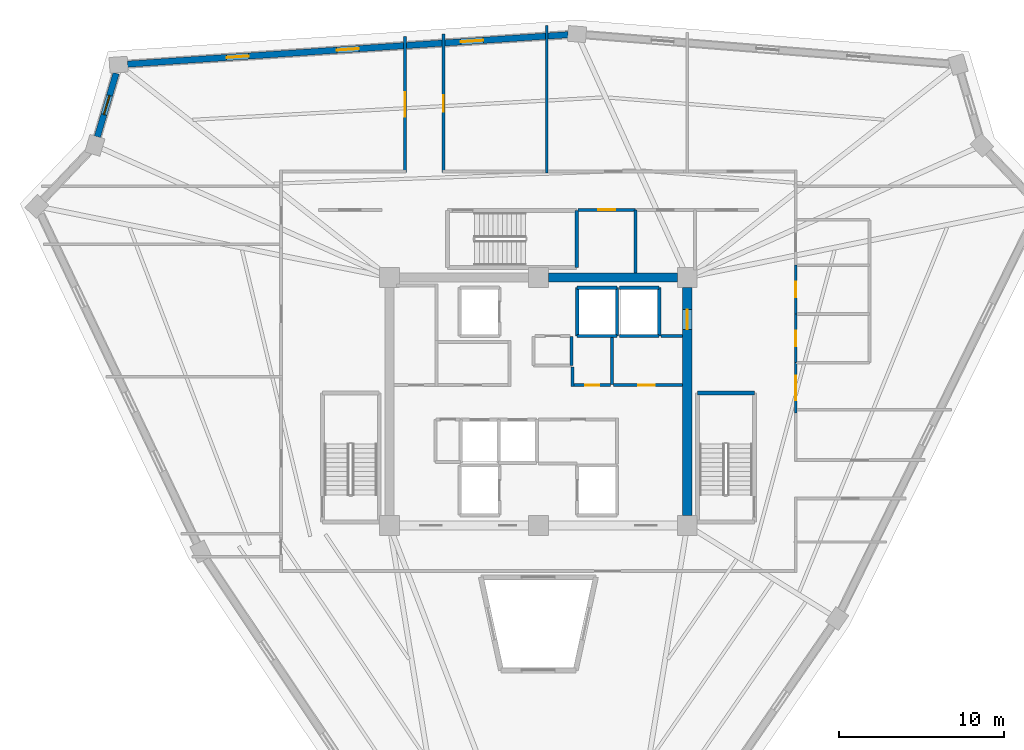
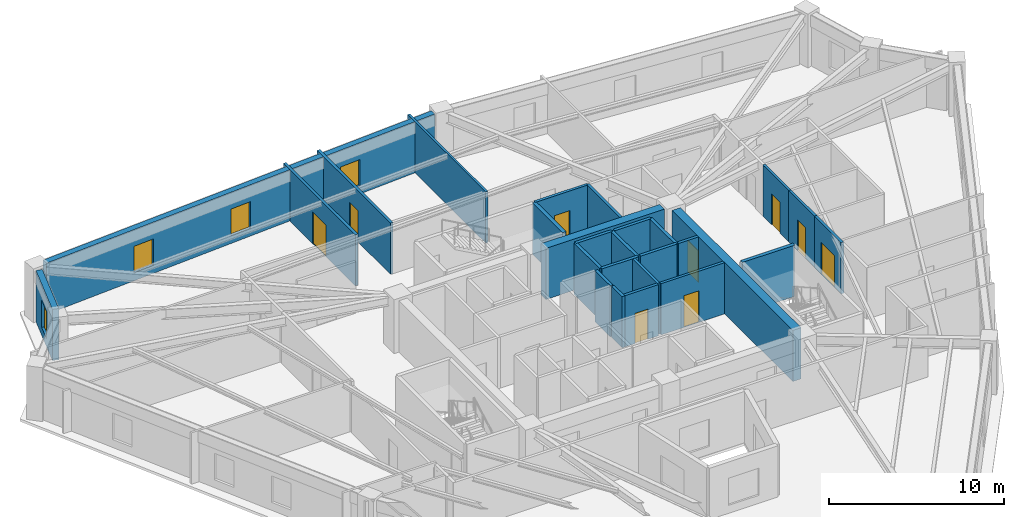
# One storey, part 6 of 8: 27 walls, 9 doors, 4 windows, 13 openings.
"""IFC4 building model written with IfcOpenShell, lengths in metres."""

import ifcopenshell
import ifcopenshell.guid

model = None  # the IFC model being written
_history = None  # IfcOwnerHistory: only IFC2X3 demands one
_inside = {}  # id of a spatial element -> (the spatial element, [elements in it])
_under = {}  # id of a project, library or spatial element -> (it, [spatial elements below it])
_declared = {}  # id of a project -> (the project, [libraries it declares])
_typed = {}  # id of a type object -> (the type object, [elements of that type])
_made_of = {}  # id of a material, layer set ... -> (it, [elements and type objects made of it])


def new_model(schema):
    """Start an empty IFC model of exactly this schema.

    Asked for "IFC4X3", IfcOpenShell would pick the latest addendum, in which some entities
    have other attributes; the version numbers below select the first issue.
    IFC2X3 requires an IfcOwnerHistory on every rooted entity: one is made here for all.
    """
    global model, _history
    if schema == "IFC4X3":
        model = ifcopenshell.file(schema_version=(4, 3, 0, 0))
    else:
        model = ifcopenshell.file(schema=schema)
    _inside.clear()
    _under.clear()
    _declared.clear()
    _typed.clear()
    _made_of.clear()
    _history = None
    if model.schema == "IFC2X3":
        org = make("IfcOrganization", Name="unknown")
        user = make(
            "IfcPersonAndOrganization",
            ThePerson=make("IfcPerson", FamilyName="unknown"),
            TheOrganization=org,
        )
        app = make(
            "IfcApplication",
            ApplicationDeveloper=org,
            Version="unknown",
            ApplicationFullName="unknown",
            ApplicationIdentifier="unknown",
        )
        _history = make(
            "IfcOwnerHistory",
            OwningUser=user,
            OwningApplication=app,
            ChangeAction="ADDED",
            CreationDate=0,
        )
    return model


def make(cls, **values):
    """One entity of the class cls with the attributes given. An attribute that is None is left unset."""
    return model.create_entity(
        cls, **{name: value for name, value in values.items() if value is not None}
    )


def rooted(cls, **values):
    """An entity with a GlobalId (a new one), such as an element, a storey or a relation."""
    return make(cls, GlobalId=ifcopenshell.guid.new(), OwnerHistory=_history, **values)


def si_unit(unit_type, name, prefix=None):
    """IfcSIUnit, for example si_unit("LENGTHUNIT", "METRE", prefix="MILLI")."""
    return make("IfcSIUnit", UnitType=unit_type, Prefix=prefix, Name=name)


def assignment(units):
    """IfcUnitAssignment: the units of a project."""
    return None if units is None else make("IfcUnitAssignment", Units=units)


def point(xyz):
    """IfcCartesianPoint."""
    return None if xyz is None else make("IfcCartesianPoint", Coordinates=xyz)


def direction(xyz):
    """IfcDirection."""
    return None if xyz is None else make("IfcDirection", DirectionRatios=xyz)


def frame(location, z_axis=None, x_axis=None):
    """IfcAxis2Placement3D, a coordinate frame: its origin and axes. An axis left out is left unset."""
    return make(
        "IfcAxis2Placement3D",
        Location=point(location),
        Axis=direction(z_axis),
        RefDirection=direction(x_axis),
    )


def frame_2d(location, x_axis=None):
    """IfcAxis2Placement2D, a coordinate frame in the plane: its origin and x axis."""
    return make(
        "IfcAxis2Placement2D", Location=point(location), RefDirection=direction(x_axis)
    )


def origin():
    """The frame at (0, 0, 0) with its axes left unset."""
    return frame((0.0, 0.0, 0.0))


def place(relative_to, where):
    """IfcLocalPlacement: puts the frame where relative to a parent placement (None: the world)."""
    return make(
        "IfcLocalPlacement", PlacementRelTo=relative_to, RelativePlacement=where
    )


def context(
    kind, dimensions, precision=None, world=None, true_north=None, identifier=None
):
    """IfcGeometricRepresentationContext, for example the 3D "Model" context."""
    return make(
        "IfcGeometricRepresentationContext",
        ContextIdentifier=identifier,
        ContextType=kind,
        CoordinateSpaceDimension=dimensions,
        Precision=precision,
        WorldCoordinateSystem=world,
        TrueNorth=true_north,
    )


def subcontext(parent, identifier, kind, view, scale=None):
    """IfcGeometricRepresentationSubContext, for example "Body" below "Model"."""
    return make(
        "IfcGeometricRepresentationSubContext",
        ContextIdentifier=identifier,
        ContextType=kind,
        ParentContext=parent,
        TargetScale=scale,
        TargetView=view,
    )


def project(units=None, contexts=None):
    """IfcProject with its units and contexts."""
    return rooted(
        "IfcProject",
        Name="project",
        RepresentationContexts=contexts,
        UnitsInContext=assignment(units),
    )


def spatial(cls, under=None, at=None, **own):
    """A site, building, storey or space (cls), placed at a placement, below another one or the project."""
    s = rooted(cls, ObjectPlacement=at, **own)
    if under is not None:
        _under.setdefault(under.id(), (under, []))[1].append(s)
    return s


def profile(cls, at=None, kind="AREA", **sizes):
    """A parametric profile (cls). Its sizes go by their IFC names, for example OverallWidth=200.0."""
    return make(cls, ProfileType=kind, Position=at, **sizes)


def rectangle(**sizes):
    """IfcRectangleProfileDef."""
    return profile("IfcRectangleProfileDef", **sizes)


def extrude(swept, where, along, depth):
    """IfcExtrudedAreaSolid: the profile swept, set in the frame where, extruded along a direction by depth."""
    return make(
        "IfcExtrudedAreaSolid",
        SweptArea=swept,
        Position=where,
        ExtrudedDirection=direction(along),
        Depth=depth,
    )


def shape(context_of_items, identifier, shape_type, items):
    """IfcShapeRepresentation: the items that make up one representation, for example the "Body"."""
    return make(
        "IfcShapeRepresentation",
        ContextOfItems=context_of_items,
        RepresentationIdentifier=identifier,
        RepresentationType=shape_type,
        Items=items,
    )


def source(mapping_origin, context_of_items, identifier, shape_type, items):
    """IfcRepresentationMap: a shape defined once, which mapped items show again and again."""
    return make(
        "IfcRepresentationMap",
        MappingOrigin=mapping_origin,
        MappedRepresentation=shape(context_of_items, identifier, shape_type, items),
    )


def transform(
    local_origin,
    x_axis=None,
    y_axis=None,
    z_axis=None,
    scale=None,
    scale2=None,
    scale3=None,
    uniform=True,
):
    """IfcCartesianTransformationOperator3D, or its non-uniform kind. x_axis, y_axis, z_axis: its Axis1, 2, 3."""
    if uniform:
        return make(
            "IfcCartesianTransformationOperator3D",
            Axis1=direction(x_axis),
            Axis2=direction(y_axis),
            LocalOrigin=point(local_origin),
            Scale=scale,
            Axis3=direction(z_axis),
        )
    return make(
        "IfcCartesianTransformationOperator3DnonUniform",
        Axis1=direction(x_axis),
        Axis2=direction(y_axis),
        LocalOrigin=point(local_origin),
        Scale=scale,
        Axis3=direction(z_axis),
        Scale2=scale2,
        Scale3=scale3,
    )


def mapped(mapping_source, mapping_target):
    """IfcMappedItem: shows the shape of a source again, moved by a transform."""
    return make(
        "IfcMappedItem", MappingSource=mapping_source, MappingTarget=mapping_target
    )


def material(Name=None, Category=None):
    """IfcMaterial."""
    return make("IfcMaterial", Name=Name, Category=Category)


def layer(
    of_material, thickness, ventilated=None, Name=None, Category=None, Priority=None
):
    """IfcMaterialLayer: one layer of a wall or slab, of a material (None: an air gap)."""
    return make(
        "IfcMaterialLayer",
        Material=of_material,
        LayerThickness=thickness,
        IsVentilated=ventilated,
        Name=Name,
        Category=Category,
        Priority=Priority,
    )


def layer_set(layers, Name=None):
    """IfcMaterialLayerSet."""
    return make("IfcMaterialLayerSet", MaterialLayers=layers, LayerSetName=Name)


def made_of(thing, what):
    """Note that an element or type object is made of a material, layer set ...; save() writes the relation."""
    if what is not None:
        _made_of.setdefault(what.id(), (what, []))[1].append(thing)
    return thing


def type_object(cls, material=None, **own):
    """A type object (cls), such as IfcWallType, which elements share."""
    return made_of(rooted(cls, **own), material)


def element(
    cls,
    number,
    at=None,
    inside=None,
    cuts=None,
    type_object=None,
    material=None,
    context=None,
    identifier="Body",
    shape_type=None,
    held_by="IfcProductDefinitionShape",
    body=None,
    shapes=None,
    **own,
):
    """One element of the class cls, such as IfcWall. Its Tag is "e" and its number.

    at: its placement. inside: the storey or other place that contains it. cuts: it is an
    opening in that element (IfcRelVoidsElement). A single representation is given by context,
    identifier, shape_type and body (its items); several are given by shapes. held_by: the class
    of the entity that holds the representations. save() writes the other relations.
    """
    e = rooted(cls, Tag="e%d" % number, ObjectPlacement=at, **own)
    if body is not None:
        shapes = [shape(context, identifier, shape_type, body)]
    if shapes is not None:
        e.Representation = make(held_by, Representations=shapes)
    if inside is not None:
        _inside.setdefault(inside.id(), (inside, []))[1].append(e)
    if cuts is not None:
        rooted(
            "IfcRelVoidsElement", RelatingBuildingElement=cuts, RelatedOpeningElement=e
        )
    if type_object is not None:
        _typed.setdefault(type_object.id(), (type_object, []))[1].append(e)
    return made_of(e, material)


def fill(opening, filler):
    """IfcRelFillsElement: the door or window that sits in an opening."""
    return rooted(
        "IfcRelFillsElement",
        RelatingOpeningElement=opening,
        RelatedBuildingElement=filler,
    )


def aggregate(whole, parts):
    """IfcRelAggregates: a whole, such as a stair, and the parts it consists of."""
    return rooted("IfcRelAggregates", RelatingObject=whole, RelatedObjects=parts)


def save(model, path):
    """Write the relations noted so far, then the file.

    IfcRelAggregates (storeys below a building ...), IfcRelContainedInSpatialStructure (elements
    in a storey), IfcRelDefinesByType, IfcRelAssociatesMaterial and IfcRelDeclares: one each for
    every whole, place, type object, material and project.
    """
    for whole, parts in _under.values():
        aggregate(whole, parts)
    for where, things in _inside.values():
        rooted(
            "IfcRelContainedInSpatialStructure",
            RelatedElements=things,
            RelatingStructure=where,
        )
    for kind, things in _typed.values():
        rooted("IfcRelDefinesByType", RelatedObjects=things, RelatingType=kind)
    for what, things in _made_of.values():
        rooted("IfcRelAssociatesMaterial", RelatedObjects=things, RelatingMaterial=what)
    for by, libraries in _declared.values():
        rooted("IfcRelDeclares", RelatingContext=by, RelatedDefinitions=libraries)
    model.write(path)


model = new_model("IFC4")

# Units and contexts
model_context = context("Model", 3, precision=1e-05, world=origin(), true_north=direction((0.0, 1.0)))
body_context = subcontext(model_context, "Body", "Model", "MODEL_VIEW")
ifc_project = project(units=[si_unit("LENGTHUNIT", "METRE"), si_unit("AREAUNIT", "SQUARE_METRE"), si_unit("VOLUMEUNIT", "CUBIC_METRE"), si_unit("PLANEANGLEUNIT", "RADIAN"), si_unit("MASSUNIT", "GRAM", prefix="KILO")], contexts=[model_context])

# Site, building, storey
site_placement = place(None, origin())
site = spatial("IfcSite", under=ifc_project, at=site_placement, CompositionType="ELEMENT")
building_placement = place(site_placement, origin())
building = spatial("IfcBuilding", under=site, at=building_placement, Name="Liaohun Quay Tower", CompositionType="ELEMENT")
storey_placement = place(building_placement, frame((0.0, 0.0, 297.75)))
storey = spatial("IfcBuildingStorey", under=building, at=storey_placement, Name="L77", CompositionType="ELEMENT", Elevation=297.75)

# Wall
ifc_material_1 = material(Name="Concrete C50", Category="concrete")
ifc_layer_1 = layer(ifc_material_1, 0.550048828125, Name="Concrete C50", Category="concrete")
ifc_layer_set_1 = layer_set([ifc_layer_1], Name="Concrete C50")
wall_type_1 = type_object("IfcWallType", Name="WAL-COR-Z4", PredefinedType="SHEAR", material=ifc_layer_set_1)
wall_1_placement = place(storey_placement, frame((60.60009765625, 61.5, 0.0), z_axis=(0.0, 0.0, 1.0), x_axis=(1.0, 0.0, 0.0)))
element("IfcWall", 1, at=wall_1_placement, inside=storey, type_object=wall_type_1, Name="L77 Central Core Shear Wall N-E", PredefinedType="SHEAR", context=body_context, shape_type="SweptSolid", body=[
    extrude(rectangle(XDim=7.7998046875, YDim=0.550048828125, at=frame_2d((3.89990234375, 0.0))), origin(), (0.0, 0.0, 1.0), 3.570068359375),
])

# Wall, opening, door
wall_2_placement = place(storey_placement, frame((69.0, 60.89990234375, 0.0), z_axis=(0.0, 0.0, 1.0), x_axis=(0.0, -1.0, 0.0)))
wall_2 = element("IfcWall", 2, at=wall_2_placement, inside=storey, type_object=wall_type_1, Name="L77 Central Core Shear Wall E", PredefinedType="SHEAR", context=body_context, shape_type="SweptSolid", body=[
    extrude(rectangle(XDim=13.7998046875, YDim=0.550048828125, at=frame_2d((6.89990234375, 0.0))), origin(), (0.0, 0.0, 1.0), 3.570068359375),
])
shared_shape_1 = source(origin(), body_context, "Body", "SweptSolid", [
    extrude(rectangle(XDim=1.199951171875, YDim=2.199951171875, at=frame_2d((0.60009765625, 1.10009765625))), frame((0.0, 0.284912109375, 0.0), z_axis=(0.0, -1.0, 0.0), x_axis=(1.0, 0.0, 0.0)), (0.0, 0.0, 1.0), 0.570068359375),
])
opening_1_placement = place(wall_2_placement, frame((1.35009765625, 0.0, 0.0)))
opening_1 = element("IfcOpeningElement", 3, at=opening_1_placement, cuts=wall_2, Name="Opening SD1", PredefinedType="OPENING", context=body_context, shape_type="MappedRepresentation", body=[
    mapped(shared_shape_1, transform((0.0, 0.0, 0.0), x_axis=(1.0, 0.0, 0.0), y_axis=(0.0, 1.0, 0.0), z_axis=(0.0, 0.0, 1.0), scale=1.0)),
])
ifc_material_2 = material(Name="Galvanised steel fire door", Category="steel")
door_type_1 = type_object("IfcDoorType", Name="DOR-STR-1200", OperationType="NOTDEFINED", PredefinedType="DOOR", material=ifc_material_2)
shared_shape_2 = source(origin(), body_context, "Body", "SweptSolid", [
    extrude(rectangle(XDim=1.199951171875, YDim=2.199951171875, at=frame_2d((0.60009765625, 1.10009765625))), frame((0.0, 0.02490234375, 0.0), z_axis=(0.0, -1.0, 0.0), x_axis=(1.0, 0.0, 0.0)), (0.0, 0.0, 1.0), 0.050048828125),
])
door_1_placement = place(opening_1_placement, origin())
door_1 = element("IfcDoor", 4, at=door_1_placement, inside=storey, type_object=door_type_1, Name="L77 North-East Core Lobby Smokeproof Door", OperationType="SINGLE_SWING_LEFT", OverallHeight=2.199951171875, OverallWidth=1.199951171875, PredefinedType="DOOR", context=body_context, shape_type="MappedRepresentation", body=[
    mapped(shared_shape_2, transform((0.0, 0.0, 0.0), x_axis=(1.0, 0.0, 0.0), y_axis=(0.0, 1.0, 0.0), z_axis=(0.0, 0.0, 1.0), scale=1.0)),
])
fill(opening_1, door_1)

# Wall, openings, windows
ifc_material_3 = material(Name="Precast concrete C50 insulated sandwich", Category="concrete")
ifc_layer_2 = layer(ifc_material_3, 0.3798828125, Name="Precast concrete C50 insulated sandwich", Category="concrete")
ifc_layer_set_2 = layer_set([ifc_layer_2], Name="Precast concrete C50 insulated sandwich")
wall_type_2 = type_object("IfcWallType", Name="WAL-EXT-Z34", PredefinedType="SOLIDWALL", material=ifc_layer_set_2)
wall_3_placement = place(storey_placement, frame((61.797119140625, 76.169921875, 0.0), z_axis=(0.0, 0.0, 1.0), x_axis=(-0.99777170169, -0.066720546358, 0.0)))
wall_3 = element("IfcWall", 5, at=wall_3_placement, inside=storey, type_object=wall_type_2, Name="L77 Brutalist Precast Pier Wall 07", PredefinedType="SOLIDWALL", context=body_context, shape_type="SweptSolid", body=[
    extrude(rectangle(XDim=26.693603515625, YDim=0.3798828125, at=frame_2d((13.3466796875, 0.0))), origin(), (0.0, 0.0, 1.0), 3.570068359375),
])
shared_shape_3 = source(origin(), body_context, "Body", "SweptSolid", [
    extrude(rectangle(XDim=1.35009765625, YDim=1.85009765625, at=frame_2d((0.675048828125, 0.925048828125))), frame((0.0, 0.199951171875, 0.0), z_axis=(0.0, -1.0, 0.0), x_axis=(1.0, 0.0, 0.0)), (0.0, 0.0, 1.0), 0.39990234375),
])
opening_2_placement = place(wall_3_placement, frame((5.14794921875, 0.0, 0.550048828125)))
opening_2 = element("IfcOpeningElement", 6, at=opening_2_placement, cuts=wall_3, Name="Opening W04", PredefinedType="OPENING", context=body_context, shape_type="MappedRepresentation", body=[
    mapped(shared_shape_3, transform((0.0, 0.0, 0.0), x_axis=(1.0, 0.0, 0.0), y_axis=(0.0, 1.0, 0.0), z_axis=(0.0, 0.0, 1.0), scale=1.0)),
])
opening_3_placement = place(wall_3_placement, frame((12.672119140625, 0.0, 0.550048828125)))
opening_3 = element("IfcOpeningElement", 7, at=opening_3_placement, cuts=wall_3, Name="Opening W04", PredefinedType="OPENING", context=body_context, shape_type="MappedRepresentation", body=[
    mapped(shared_shape_3, transform((0.0, 0.0, 0.0), x_axis=(1.0, 0.0, 0.0), y_axis=(0.0, 1.0, 0.0), z_axis=(0.0, 0.0, 1.0), scale=1.0)),
])
opening_4_placement = place(wall_3_placement, frame((19.344970703125, 0.0, 0.550048828125)))
opening_4 = element("IfcOpeningElement", 8, at=opening_4_placement, cuts=wall_3, Name="Opening W04", PredefinedType="OPENING", context=body_context, shape_type="MappedRepresentation", body=[
    mapped(shared_shape_3, transform((0.0, 0.0, 0.0), x_axis=(1.0, 0.0, 0.0), y_axis=(0.0, 1.0, 0.0), z_axis=(0.0, 0.0, 1.0), scale=1.0)),
])
ifc_material_4 = material(Name="Triple Low-E argon glazing in thermally broken aluminium", Category="aluminium")
window_type_1 = type_object("IfcWindowType", Name="WIN-PUN-Z4", PartitioningType="SINGLE_PANEL", PredefinedType="WINDOW", material=ifc_material_4)
shared_shape_4 = source(origin(), body_context, "Body", "SweptSolid", [
    extrude(rectangle(XDim=1.35009765625, YDim=1.85009765625, at=frame_2d((0.675048828125, 0.925048828125))), frame((0.0, 0.030029296875, 0.0), z_axis=(0.0, -1.0, 0.0), x_axis=(1.0, 0.0, 0.0)), (0.0, 0.0, 1.0), 0.06005859375),
])
window_1_placement = place(opening_2_placement, origin())
window_1 = element("IfcWindow", 9, at=window_1_placement, inside=storey, type_object=window_type_1, Name="L77 Recessed Cold-Climate Punched Window 07-1", OverallHeight=1.85009765625, OverallWidth=1.35009765625, PartitioningType="SINGLE_PANEL", PredefinedType="WINDOW", context=body_context, shape_type="MappedRepresentation", body=[
    mapped(shared_shape_4, transform((0.0, 0.0, 0.0), x_axis=(1.0, 0.0, 0.0), y_axis=(0.0, 1.0, 0.0), z_axis=(0.0, 0.0, 1.0), scale=1.0)),
])
fill(opening_2, window_1)
window_2_placement = place(opening_3_placement, origin())
window_2 = element("IfcWindow", 10, at=window_2_placement, inside=storey, type_object=window_type_1, Name="L77 Recessed Cold-Climate Punched Window 07-2", OverallHeight=1.85009765625, OverallWidth=1.35009765625, PartitioningType="SINGLE_PANEL", PredefinedType="WINDOW", context=body_context, shape_type="MappedRepresentation", body=[
    mapped(shared_shape_4, transform((0.0, 0.0, 0.0), x_axis=(1.0, 0.0, 0.0), y_axis=(0.0, 1.0, 0.0), z_axis=(0.0, 0.0, 1.0), scale=1.0)),
])
fill(opening_3, window_2)
window_3_placement = place(opening_4_placement, origin())
window_3 = element("IfcWindow", 11, at=window_3_placement, inside=storey, type_object=window_type_1, Name="L77 Recessed Cold-Climate Punched Window 07-3", OverallHeight=1.85009765625, OverallWidth=1.35009765625, PartitioningType="SINGLE_PANEL", PredefinedType="WINDOW", context=body_context, shape_type="MappedRepresentation", body=[
    mapped(shared_shape_4, transform((0.0, 0.0, 0.0), x_axis=(1.0, 0.0, 0.0), y_axis=(0.0, 1.0, 0.0), z_axis=(0.0, 0.0, 1.0), scale=1.0)),
])
fill(opening_4, window_3)

# Wall, opening, window
wall_4_placement = place(storey_placement, frame((34.470947265625, 73.8349609375, 0.0), z_axis=(0.0, 0.0, 1.0), x_axis=(-0.282483550301, -0.959272142726, 0.0)))
wall_4 = element("IfcWall", 12, at=wall_4_placement, inside=storey, type_object=wall_type_2, Name="L77 Brutalist Precast Pier Wall 08", PredefinedType="SOLIDWALL", context=body_context, shape_type="SweptSolid", body=[
    extrude(rectangle(XDim=3.999755859375, YDim=0.3798828125, at=frame_2d((2.0, 0.0))), origin(), (0.0, 0.0, 1.0), 3.570068359375),
])
shared_shape_5 = source(origin(), body_context, "Body", "SweptSolid", [
    extrude(rectangle(XDim=1.199951171875, YDim=1.89990234375, at=frame_2d((0.60009765625, 0.949951171875))), frame((0.0, 0.199951171875, 0.0), z_axis=(0.0, -1.0, 0.0), x_axis=(1.0, 0.0, 0.0)), (0.0, 0.0, 1.0), 0.39990234375),
])
opening_5_placement = place(wall_4_placement, frame((1.39990234375, 0.0, 0.550048828125)))
opening_5 = element("IfcOpeningElement", 13, at=opening_5_placement, cuts=wall_4, Name="Opening W05", PredefinedType="OPENING", context=body_context, shape_type="MappedRepresentation", body=[
    mapped(shared_shape_5, transform((0.0, 0.0, 0.0), x_axis=(1.0, 0.0, 0.0), y_axis=(0.0, 1.0, 0.0), z_axis=(0.0, 0.0, 1.0), scale=1.0)),
])
ifc_material_5 = material(Name="Triple Low-E corner notch glazing", Category="glass")
window_type_2 = type_object("IfcWindowType", Name="WIN-NOTCH", PartitioningType="SINGLE_PANEL", PredefinedType="WINDOW", material=ifc_material_5)
shared_shape_6 = source(origin(), body_context, "Body", "SweptSolid", [
    extrude(rectangle(XDim=1.199951171875, YDim=1.89990234375, at=frame_2d((0.60009765625, 0.949951171875))), frame((0.0, 0.030029296875, 0.0), z_axis=(0.0, -1.0, 0.0), x_axis=(1.0, 0.0, 0.0)), (0.0, 0.0, 1.0), 0.06005859375),
])
window_4_placement = place(opening_5_placement, origin())
window_4 = element("IfcWindow", 14, at=window_4_placement, inside=storey, type_object=window_type_2, Name="L77 Corner Notch Window W05-08", OverallHeight=1.89990234375, OverallWidth=1.199951171875, PartitioningType="SINGLE_PANEL", PredefinedType="WINDOW", context=body_context, shape_type="MappedRepresentation", body=[
    mapped(shared_shape_6, transform((0.0, 0.0, 0.0), x_axis=(1.0, 0.0, 0.0), y_axis=(0.0, 1.0, 0.0), z_axis=(0.0, 0.0, 1.0), scale=1.0)),
])
fill(opening_5, window_4)

# Wall, opening, door
ifc_material_6 = material(Name="Autoclaved aerated concrete blockwork", Category="masonry")
ifc_layer_3 = layer(ifc_material_6, 0.179931640625, Name="Autoclaved aerated concrete blockwork", Category="masonry")
ifc_layer_set_3 = layer_set([ifc_layer_3], Name="Autoclaved aerated concrete blockwork")
wall_type_3 = type_object("IfcWallType", Name="WAL-PRT-COR", PredefinedType="PARTITIONING", material=ifc_layer_set_3)
wall_5_placement = place(storey_placement, frame((62.139892578125, 54.97998046875, 0.0), z_axis=(0.0, 0.0, 1.0), x_axis=(1.0, 0.0, 0.0)))
wall_5 = element("IfcWall", 15, at=wall_5_placement, inside=storey, type_object=wall_type_3, Name="L77 Interior Partition Wall 004", PredefinedType="PARTITIONING", context=body_context, shape_type="SweptSolid", body=[
    extrude(rectangle(XDim=2.22021484375, YDim=0.179931640625, at=frame_2d((1.110107421875, 0.0))), origin(), (0.0, 0.0, 1.0), 3.570068359375),
])
shared_shape_7 = source(origin(), body_context, "Body", "SweptSolid", [
    extrude(rectangle(XDim=0.85009765625, YDim=2.10009765625, at=frame_2d((0.425048828125, 1.050048828125))), frame((0.0, 0.099853515625, 0.0), z_axis=(0.0, -1.0, 0.0), x_axis=(1.0, 0.0, 0.0)), (0.0, 0.0, 1.0), 0.199951171875),
])
opening_6_placement = place(wall_5_placement, frame((0.68505859375, 0.0, 0.0)))
opening_6 = element("IfcOpeningElement", 16, at=opening_6_placement, cuts=wall_5, Name="Opening AD1", PredefinedType="OPENING", context=body_context, shape_type="MappedRepresentation", body=[
    mapped(shared_shape_7, transform((0.0, 0.0, 0.0), x_axis=(1.0, 0.0, 0.0), y_axis=(0.0, 1.0, 0.0), z_axis=(0.0, 0.0, 1.0), scale=1.0)),
])
ifc_material_7 = material(Name="Steel riser inspection fire door", Category="steel")
door_type_2 = type_object("IfcDoorType", Name="DOR-SHF-850", OperationType="NOTDEFINED", PredefinedType="DOOR", material=ifc_material_7)
shared_shape_8 = source(origin(), body_context, "Body", "SweptSolid", [
    extrude(rectangle(XDim=0.85009765625, YDim=2.10009765625, at=frame_2d((0.425048828125, 1.050048828125))), frame((0.0, 0.02490234375, 0.0), z_axis=(0.0, -1.0, 0.0), x_axis=(1.0, 0.0, 0.0)), (0.0, 0.0, 1.0), 0.050048828125),
])
door_2_placement = place(opening_6_placement, origin())
door_2 = element("IfcDoor", 17, at=door_2_placement, inside=storey, type_object=door_type_2, Name="L77 Core Cleaner Store Door", OperationType="SINGLE_SWING_RIGHT", OverallHeight=2.10009765625, OverallWidth=0.85009765625, PredefinedType="DOOR", context=body_context, shape_type="MappedRepresentation", body=[
    mapped(shared_shape_8, transform((0.0, 0.0, 0.0), x_axis=(1.0, 0.0, 0.0), y_axis=(0.0, 1.0, 0.0), z_axis=(0.0, 0.0, 1.0), scale=1.0)),
])
fill(opening_6, door_2)

wall_6_placement = place(storey_placement, frame((64.5400390625, 54.97998046875, 0.0), z_axis=(0.0, 0.0, 1.0), x_axis=(1.0, 0.0, 0.0)))
wall_6 = element("IfcWall", 18, at=wall_6_placement, inside=storey, type_object=wall_type_3, Name="L77 Interior Partition Wall 005", PredefinedType="PARTITIONING", context=body_context, shape_type="SweptSolid", body=[
    extrude(rectangle(XDim=4.18505859375, YDim=0.179931640625, at=frame_2d((2.092529296875, 0.0))), origin(), (0.0, 0.0, 1.0), 3.570068359375),
])
shared_shape_9 = source(origin(), body_context, "Body", "SweptSolid", [
    extrude(rectangle(XDim=1.0, YDim=2.199951171875, at=frame_2d((0.5, 1.10009765625))), frame((0.0, 0.099853515625, 0.0), z_axis=(0.0, -1.0, 0.0), x_axis=(1.0, 0.0, 0.0)), (0.0, 0.0, 1.0), 0.199951171875),
])
opening_7_placement = place(wall_6_placement, frame((1.4951171875, 0.0, 0.0)))
opening_7 = element("IfcOpeningElement", 19, at=opening_7_placement, cuts=wall_6, Name="Opening OD1", PredefinedType="OPENING", context=body_context, shape_type="MappedRepresentation", body=[
    mapped(shared_shape_9, transform((0.0, 0.0, 0.0), x_axis=(1.0, 0.0, 0.0), y_axis=(0.0, 1.0, 0.0), z_axis=(0.0, 0.0, 1.0), scale=1.0)),
])
ifc_material_8 = material(Name="Solid-core oak veneer timber leaf in steel frame", Category="steel")
door_type_3 = type_object("IfcDoorType", Name="DOR-OFF-1000", OperationType="NOTDEFINED", PredefinedType="DOOR", material=ifc_material_8)
shared_shape_10 = source(origin(), body_context, "Body", "SweptSolid", [
    extrude(rectangle(XDim=1.0, YDim=2.199951171875, at=frame_2d((0.5, 1.10009765625))), frame((0.0, 0.02490234375, 0.0), z_axis=(0.0, -1.0, 0.0), x_axis=(1.0, 0.0, 0.0)), (0.0, 0.0, 1.0), 0.050048828125),
])
door_3_placement = place(opening_7_placement, origin())
door_3 = element("IfcDoor", 20, at=door_3_placement, inside=storey, type_object=door_type_3, Name="L77 Core High-Zone Pantry Room Door", OperationType="SINGLE_SWING_LEFT", OverallHeight=2.199951171875, OverallWidth=1.0, PredefinedType="DOOR", context=body_context, shape_type="MappedRepresentation", body=[
    mapped(shared_shape_10, transform((0.0, 0.0, 0.0), x_axis=(1.0, 0.0, 0.0), y_axis=(0.0, 1.0, 0.0), z_axis=(0.0, 0.0, 1.0), scale=1.0)),
])
fill(opening_7, door_3)

wall_7_placement = place(storey_placement, frame((62.389892578125, 65.580078125, 0.0), z_axis=(0.0, 0.0, 1.0), x_axis=(1.0, 0.0, 0.0)))
wall_7 = element("IfcWall", 21, at=wall_7_placement, inside=storey, type_object=wall_type_3, Name="L77 Interior Partition Wall 011", PredefinedType="PARTITIONING", context=body_context, shape_type="SweptSolid", body=[
    extrude(rectangle(XDim=3.489990234375, YDim=0.179931640625, at=frame_2d((1.7451171875, 0.0))), origin(), (0.0, 0.0, 1.0), 3.570068359375),
])
opening_8_placement = place(wall_7_placement, frame((1.2451171875, 0.0, 0.0)))
opening_8 = element("IfcOpeningElement", 22, at=opening_8_placement, cuts=wall_7, Name="Opening OD1", PredefinedType="OPENING", context=body_context, shape_type="MappedRepresentation", body=[
    mapped(shared_shape_9, transform((0.0, 0.0, 0.0), x_axis=(1.0, 0.0, 0.0), y_axis=(0.0, 1.0, 0.0), z_axis=(0.0, 0.0, 1.0), scale=1.0)),
])
door_4_placement = place(opening_8_placement, origin())
door_4 = element("IfcDoor", 23, at=door_4_placement, inside=storey, type_object=door_type_3, Name="L77 North-East Archive Store Door", OperationType="SINGLE_SWING_LEFT", OverallHeight=2.199951171875, OverallWidth=1.0, PredefinedType="DOOR", context=body_context, shape_type="MappedRepresentation", body=[
    mapped(shared_shape_10, transform((0.0, 0.0, 0.0), x_axis=(1.0, 0.0, 0.0), y_axis=(0.0, 1.0, 0.0), z_axis=(0.0, 0.0, 1.0), scale=1.0)),
])
fill(opening_8, door_4)

wall_8_placement = place(storey_placement, frame((75.56005859375, 56.340087890625, 0.0), z_axis=(0.0, 0.0, 1.0), x_axis=(0.0, -1.0, 0.0)))
wall_8 = element("IfcWall", 24, at=wall_8_placement, inside=storey, type_object=wall_type_3, Name="L77 Interior Partition Wall 015", PredefinedType="PARTITIONING", context=body_context, shape_type="SweptSolid", body=[
    extrude(rectangle(XDim=3.05517578125, YDim=0.179931640625, at=frame_2d((1.527587890625, 0.0))), origin(), (0.0, 0.0, 1.0), 3.570068359375),
])
shared_shape_11 = source(origin(), body_context, "Body", "SweptSolid", [
    extrude(rectangle(XDim=1.5, YDim=2.199951171875, at=frame_2d((0.75, 1.10009765625))), frame((0.0, 0.099853515625, 0.0), z_axis=(0.0, -1.0, 0.0), x_axis=(1.0, 0.0, 0.0)), (0.0, 0.0, 1.0), 0.199951171875),
])
opening_9_placement = place(wall_8_placement, frame((0.778076171875, 0.0, 0.0)))
opening_9 = element("IfcOpeningElement", 25, at=opening_9_placement, cuts=wall_8, Name="Opening OD2", PredefinedType="OPENING", context=body_context, shape_type="MappedRepresentation", body=[
    mapped(shared_shape_11, transform((0.0, 0.0, 0.0), x_axis=(1.0, 0.0, 0.0), y_axis=(0.0, 1.0, 0.0), z_axis=(0.0, 0.0, 1.0), scale=1.0)),
])
ifc_material_9 = material(Name="Acoustic oak veneer double door")
door_type_4 = type_object("IfcDoorType", Name="DOR-OFF-1500", OperationType="DOUBLE_DOOR_SINGLE_SWING", PredefinedType="DOOR", material=ifc_material_9)
shared_shape_12 = source(origin(), body_context, "Body", "SweptSolid", [
    extrude(rectangle(XDim=1.5, YDim=2.199951171875, at=frame_2d((0.75, 1.10009765625))), frame((0.0, 0.02490234375, 0.0), z_axis=(0.0, -1.0, 0.0), x_axis=(1.0, 0.0, 0.0)), (0.0, 0.0, 1.0), 0.050048828125),
])
door_5_placement = place(opening_9_placement, origin())
door_5 = element("IfcDoor", 26, at=door_5_placement, inside=storey, type_object=door_type_4, Name="L77 Engineering Model Workshop 01 Door", OperationType="DOUBLE_DOOR_SINGLE_SWING", OverallHeight=2.199951171875, OverallWidth=1.5, PredefinedType="DOOR", context=body_context, shape_type="MappedRepresentation", body=[
    mapped(shared_shape_12, transform((0.0, 0.0, 0.0), x_axis=(1.0, 0.0, 0.0), y_axis=(0.0, 1.0, 0.0), z_axis=(0.0, 0.0, 1.0), scale=1.0)),
])
fill(opening_9, door_5)

wall_9_placement = place(storey_placement, frame((54.260009765625, 76.20703125, 0.0), z_axis=(0.0, 0.0, 1.0), x_axis=(0.0, -1.0, 0.0)))
wall_9 = element("IfcWall", 27, at=wall_9_placement, inside=storey, type_object=wall_type_3, Name="L77 Interior Partition Wall 018", PredefinedType="PARTITIONING", context=body_context, shape_type="SweptSolid", body=[
    extrude(rectangle(XDim=8.366943359375, YDim=0.179931640625, at=frame_2d((4.18359375, 0.0))), origin(), (0.0, 0.0, 1.0), 3.570068359375),
])
opening_10_placement = place(wall_9_placement, frame((3.68310546875, 0.0, 0.0)))
opening_10 = element("IfcOpeningElement", 28, at=opening_10_placement, cuts=wall_9, Name="Opening OD1", PredefinedType="OPENING", context=body_context, shape_type="MappedRepresentation", body=[
    mapped(shared_shape_9, transform((0.0, 0.0, 0.0), x_axis=(1.0, 0.0, 0.0), y_axis=(0.0, 1.0, 0.0), z_axis=(0.0, 0.0, 1.0), scale=1.0)),
])
door_6_placement = place(opening_10_placement, origin())
door_6 = element("IfcDoor", 29, at=door_6_placement, inside=storey, type_object=door_type_3, Name="L77 Project Collaboration Studio 04 Door", OperationType="SINGLE_SWING_RIGHT", OverallHeight=2.199951171875, OverallWidth=1.0, PredefinedType="DOOR", context=body_context, shape_type="MappedRepresentation", body=[
    mapped(shared_shape_10, transform((0.0, 0.0, 0.0), x_axis=(1.0, 0.0, 0.0), y_axis=(0.0, 1.0, 0.0), z_axis=(0.0, 0.0, 1.0), scale=1.0)),
])
fill(opening_10, door_6)

wall_10_placement = place(storey_placement, frame((51.93994140625, 67.840087890625, 0.0), z_axis=(0.0, 0.0, 1.0), x_axis=(0.0, 1.0, 0.0)))
wall_10 = element("IfcWall", 30, at=wall_10_placement, inside=storey, type_object=wall_type_3, Name="L77 Interior Partition Wall 019", PredefinedType="PARTITIONING", context=body_context, shape_type="SweptSolid", body=[
    extrude(rectangle(XDim=8.2119140625, YDim=0.179931640625, at=frame_2d((4.10595703125, 0.0))), origin(), (0.0, 0.0, 1.0), 3.570068359375),
])
opening_11_placement = place(wall_10_placement, frame((3.35595703125, 0.0, 0.0)))
opening_11 = element("IfcOpeningElement", 31, at=opening_11_placement, cuts=wall_10, Name="Opening OD2", PredefinedType="OPENING", context=body_context, shape_type="MappedRepresentation", body=[
    mapped(shared_shape_11, transform((0.0, 0.0, 0.0), x_axis=(1.0, 0.0, 0.0), y_axis=(0.0, 1.0, 0.0), z_axis=(0.0, 0.0, 1.0), scale=1.0)),
])
door_7_placement = place(opening_11_placement, origin())
door_7 = element("IfcDoor", 32, at=door_7_placement, inside=storey, type_object=door_type_4, Name="L77 Client Collaboration Lounge 05 Door", OperationType="DOUBLE_DOOR_SINGLE_SWING", OverallHeight=2.199951171875, OverallWidth=1.5, PredefinedType="DOOR", context=body_context, shape_type="MappedRepresentation", body=[
    mapped(shared_shape_12, transform((0.0, 0.0, 0.0), x_axis=(1.0, 0.0, 0.0), y_axis=(0.0, 1.0, 0.0), z_axis=(0.0, 0.0, 1.0), scale=1.0)),
])
fill(opening_11, door_7)

# Walls
wall_11_placement = place(storey_placement, frame((64.449951171875, 55.02001953125, 0.0), z_axis=(0.0, 0.0, 1.0), x_axis=(0.0, 1.0, 0.0)))
element("IfcWall", 33, at=wall_11_placement, inside=storey, type_object=wall_type_3, Name="L77 Interior Partition Wall 027", PredefinedType="PARTITIONING", context=body_context, shape_type="SweptSolid", body=[
    extrude(rectangle(XDim=2.85986328125, YDim=0.179931640625, at=frame_2d((1.429931640625, 0.0))), origin(), (0.0, 0.0, 1.0), 3.570068359375),
])
wall_12_placement = place(storey_placement, frame((62.010009765625, 56.179931640625, 0.0), z_axis=(0.0, 0.0, 1.0), x_axis=(0.0, 1.0, 0.0)))
element("IfcWall", 34, at=wall_12_placement, inside=storey, type_object=wall_type_3, Name="L77 Interior Partition Wall 029", PredefinedType="PARTITIONING", context=body_context, shape_type="SweptSolid", body=[
    extrude(rectangle(XDim=1.739990234375, YDim=0.179931640625, at=frame_2d((0.8701171875, 0.0))), origin(), (0.0, 0.0, 1.0), 3.570068359375),
])
wall_13_placement = place(storey_placement, frame((65.8798828125, 61.77490234375, 0.0), z_axis=(0.0, 0.0, 1.0), x_axis=(0.0, 1.0, 0.0)))
element("IfcWall", 35, at=wall_13_placement, inside=storey, type_object=wall_type_3, Name="L77 Interior Partition Wall 038", PredefinedType="PARTITIONING", context=body_context, shape_type="SweptSolid", body=[
    extrude(rectangle(XDim=3.80517578125, YDim=0.179931640625, at=frame_2d((1.902587890625, 0.0))), origin(), (0.0, 0.0, 1.0), 3.570068359375),
])
wall_14_placement = place(storey_placement, frame((62.050048828125, 54.889892578125, 0.0), z_axis=(0.0, 0.0, 1.0), x_axis=(0.0, 1.0, 0.0)))
element("IfcWall", 36, at=wall_14_placement, inside=storey, type_object=wall_type_3, Name="L77 Interior Partition Wall 066", PredefinedType="PARTITIONING", context=body_context, shape_type="SweptSolid", body=[
    extrude(rectangle(XDim=1.2001953125, YDim=0.179931640625, at=frame_2d((0.60009765625, 0.0))), origin(), (0.0, 0.0, 1.0), 3.570068359375),
])
wall_15_placement = place(storey_placement, frame((67.39990234375, 57.949951171875, 0.0), z_axis=(0.0, 0.0, 1.0), x_axis=(1.0, 0.0, 0.0)))
element("IfcWall", 37, at=wall_15_placement, inside=storey, type_object=wall_type_3, Name="L77 Interior Partition Wall 067", PredefinedType="PARTITIONING", context=body_context, shape_type="SweptSolid", body=[
    extrude(rectangle(XDim=1.3251953125, YDim=0.179931640625, at=frame_2d((0.66259765625, 0.0))), origin(), (0.0, 0.0, 1.0), 3.570068359375),
])
ifc_material_10 = material(Name="Gypsum board on twin steel studs", Category="steel")
ifc_layer_4 = layer(ifc_material_10, 0.139892578125, Name="Gypsum board on twin steel studs", Category="steel")
ifc_layer_set_4 = layer_set([ifc_layer_4], Name="Gypsum board on twin steel studs")
wall_type_4 = type_object("IfcWallType", Name="WAL-PRT-OFF", PredefinedType="PARTITIONING", material=ifc_layer_set_4)
wall_16_placement = place(storey_placement, frame((60.5, 67.81005859375, 0.0), z_axis=(0.0, 0.0, 1.0), x_axis=(0.0, 1.0, 0.0)))
element("IfcWall", 38, at=wall_16_placement, inside=storey, type_object=wall_type_4, Name="L77 Interior Partition Wall 057", PredefinedType="PARTITIONING", context=body_context, shape_type="SweptSolid", body=[
    extrude(rectangle(XDim=8.904052734375, YDim=0.139892578125, at=frame_2d((4.4521484375, 0.0))), origin(), (0.0, 0.0, 1.0), 3.570068359375),
])

# Wall, opening, door
ifc_material_11 = material(Name="Moisture-resistant masonry blockwork", Category="masonry")
ifc_layer_5 = layer(ifc_material_11, 0.159912109375, Name="Moisture-resistant masonry blockwork", Category="masonry")
ifc_layer_set_5 = layer_set([ifc_layer_5], Name="Moisture-resistant masonry blockwork")
wall_type_5 = type_object("IfcWallType", Name="WAL-PRT-WET", PredefinedType="PARTITIONING", material=ifc_layer_set_5)
wall_17_placement = place(storey_placement, frame((75.56005859375, 56.340087890625, 0.0), z_axis=(0.0, 0.0, 1.0), x_axis=(0.0, 1.0, 0.0)))
wall_17 = element("IfcWall", 39, at=wall_17_placement, inside=storey, type_object=wall_type_5, Name="L77 Interior Partition Wall 008", PredefinedType="PARTITIONING", context=body_context, shape_type="SweptSolid", body=[
    extrude(rectangle(XDim=2.93994140625, YDim=0.159912109375, at=frame_2d((1.469970703125, 0.0))), origin(), (0.0, 0.0, 1.0), 3.570068359375),
])
shared_shape_13 = source(origin(), body_context, "Body", "SweptSolid", [
    extrude(rectangle(XDim=0.949951171875, YDim=2.14990234375, at=frame_2d((0.47509765625, 1.074951171875))), frame((0.0, 0.08984375, 0.0), z_axis=(0.0, -1.0, 0.0), x_axis=(1.0, 0.0, 0.0)), (0.0, 0.0, 1.0), 0.179931640625),
])
opening_12_placement = place(wall_17_placement, frame((0.9951171875, 0.0, 0.0)))
opening_12 = element("IfcOpeningElement", 40, at=opening_12_placement, cuts=wall_17, Name="Opening WD1", PredefinedType="OPENING", context=body_context, shape_type="MappedRepresentation", body=[
    mapped(shared_shape_13, transform((0.0, 0.0, 0.0), x_axis=(1.0, 0.0, 0.0), y_axis=(0.0, 1.0, 0.0), z_axis=(0.0, 0.0, 1.0), scale=1.0)),
])
ifc_material_12 = material(Name="Moisture-resistant laminate timber leaf", Category="wood")
door_type_5 = type_object("IfcDoorType", Name="DOR-WC-950", OperationType="NOTDEFINED", PredefinedType="DOOR", material=ifc_material_12)
shared_shape_14 = source(origin(), body_context, "Body", "SweptSolid", [
    extrude(rectangle(XDim=0.949951171875, YDim=2.14990234375, at=frame_2d((0.47509765625, 1.074951171875))), frame((0.0, 0.02490234375, 0.0), z_axis=(0.0, -1.0, 0.0), x_axis=(1.0, 0.0, 0.0)), (0.0, 0.0, 1.0), 0.050048828125),
])
door_8_placement = place(opening_12_placement, origin())
door_8 = element("IfcDoor", 41, at=door_8_placement, inside=storey, type_object=door_type_5, Name="L77 Male Restroom WC Door", OperationType="SINGLE_SWING_RIGHT", OverallHeight=2.14990234375, OverallWidth=0.949951171875, PredefinedType="DOOR", context=body_context, shape_type="MappedRepresentation", body=[
    mapped(shared_shape_14, transform((0.0, 0.0, 0.0), x_axis=(1.0, 0.0, 0.0), y_axis=(0.0, 1.0, 0.0), z_axis=(0.0, 0.0, 1.0), scale=1.0)),
])
fill(opening_12, door_8)

wall_18_placement = place(storey_placement, frame((75.56005859375, 59.280029296875, 0.0), z_axis=(0.0, 0.0, 1.0), x_axis=(0.0, 1.0, 0.0)))
wall_18 = element("IfcWall", 42, at=wall_18_placement, inside=storey, type_object=wall_type_5, Name="L77 Interior Partition Wall 009", PredefinedType="PARTITIONING", context=body_context, shape_type="SweptSolid", body=[
    extrude(rectangle(XDim=2.9599609375, YDim=0.159912109375, at=frame_2d((1.47998046875, 0.0))), origin(), (0.0, 0.0, 1.0), 3.570068359375),
])
opening_13_placement = place(wall_18_placement, frame((1.0048828125, 0.0, 0.0)))
opening_13 = element("IfcOpeningElement", 43, at=opening_13_placement, cuts=wall_18, Name="Opening WD1", PredefinedType="OPENING", context=body_context, shape_type="MappedRepresentation", body=[
    mapped(shared_shape_13, transform((0.0, 0.0, 0.0), x_axis=(1.0, 0.0, 0.0), y_axis=(0.0, 1.0, 0.0), z_axis=(0.0, 0.0, 1.0), scale=1.0)),
])
door_9_placement = place(opening_13_placement, origin())
door_9 = element("IfcDoor", 44, at=door_9_placement, inside=storey, type_object=door_type_5, Name="L77 Female Restroom WC Door", OperationType="SINGLE_SWING_LEFT", OverallHeight=2.14990234375, OverallWidth=0.949951171875, PredefinedType="DOOR", context=body_context, shape_type="MappedRepresentation", body=[
    mapped(shared_shape_14, transform((0.0, 0.0, 0.0), x_axis=(1.0, 0.0, 0.0), y_axis=(0.0, 1.0, 0.0), z_axis=(0.0, 0.0, 1.0), scale=1.0)),
])
fill(opening_13, door_9)

# Walls
ifc_layer_6 = layer(ifc_material_1, 0.239990234375, Name="Concrete C50", Category="concrete")
ifc_layer_set_6 = layer_set([ifc_layer_6], Name="Concrete C50")
wall_type_6 = type_object("IfcWallType", Name="WAL-SHF-200", PredefinedType="SOLIDWALL", material=ifc_layer_set_6)
for number, where, z_axis, x_axis, name in (
    (45, (73.06005859375, 54.52001953125, 0.0), (0.0, 0.0, 1.0), (-1.0, 0.0, 0.0), "L77 Stairwell ST-2 Structural Core Wall N"),
    (46, (62.320068359375, 62.10009765625, 0.0), (0.0, 0.0, 1.0), (0.0, 1.0, 0.0), "L77 Stairwell ST-3 Structural Core Wall E"),
):
    element("IfcWall", number, at=place(storey_placement, frame(where, z_axis=z_axis, x_axis=x_axis)), inside=storey, type_object=wall_type_6, Name=name, PredefinedType="SOLIDWALL", context=body_context, shape_type="SweptSolid", body=[
        extrude(rectangle(XDim=3.43994140625, YDim=0.239990234375, at=frame_2d((1.719970703125, 0.0))), origin(), (0.0, 0.0, 1.0), 3.570068359375),
    ])
wall_19_placement = place(storey_placement, frame((62.35009765625, 57.949951171875, 0.0), z_axis=(0.0, 0.0, 1.0), x_axis=(1.0, 0.0, 0.0)))
element("IfcWall", 47, at=wall_19_placement, inside=storey, type_object=wall_type_6, Name="L77 Lift OB-01 Hoistway Wall S", PredefinedType="SOLIDWALL", context=body_context, shape_type="SweptSolid", body=[
    extrude(rectangle(XDim=2.39990234375, YDim=0.199951171875, at=frame_2d((1.199951171875, 0.0))), origin(), (0.0, 0.0, 1.0), 3.570068359375),
])
wall_20_placement = place(storey_placement, frame((64.75, 57.949951171875, 0.0), z_axis=(0.0, 0.0, 1.0), x_axis=(0.0, 1.0, 0.0)))
element("IfcWall", 48, at=wall_20_placement, inside=storey, type_object=wall_type_6, Name="L77 Lift OB-01 Hoistway Wall E", PredefinedType="SOLIDWALL", context=body_context, shape_type="SweptSolid", body=[
    extrude(rectangle(XDim=2.929931640625, YDim=0.199951171875, at=frame_2d((1.46484375, 0.0))), origin(), (0.0, 0.0, 1.0), 3.570068359375),
])
wall_21_placement = place(storey_placement, frame((64.75, 60.8798828125, 0.0), z_axis=(0.0, 0.0, 1.0), x_axis=(-1.0, 0.0, 0.0)))
element("IfcWall", 49, at=wall_21_placement, inside=storey, type_object=wall_type_6, Name="L77 Lift OB-01 Hoistway Wall N", PredefinedType="SOLIDWALL", context=body_context, shape_type="SweptSolid", body=[
    extrude(rectangle(XDim=2.39990234375, YDim=0.199951171875, at=frame_2d((1.199951171875, 0.0))), origin(), (0.0, 0.0, 1.0), 3.570068359375),
])
wall_22_placement = place(storey_placement, frame((62.35009765625, 60.8798828125, 0.0), z_axis=(0.0, 0.0, 1.0), x_axis=(0.0, -1.0, 0.0)))
element("IfcWall", 50, at=wall_22_placement, inside=storey, type_object=wall_type_6, Name="L77 Lift OB-01 Hoistway Wall W", PredefinedType="SOLIDWALL", context=body_context, shape_type="SweptSolid", body=[
    extrude(rectangle(XDim=2.929931640625, YDim=0.199951171875, at=frame_2d((1.46484375, 0.0))), origin(), (0.0, 0.0, 1.0), 3.570068359375),
])
wall_23_placement = place(storey_placement, frame((64.89990234375, 57.949951171875, 0.0), z_axis=(0.0, 0.0, 1.0), x_axis=(1.0, 0.0, 0.0)))
element("IfcWall", 51, at=wall_23_placement, inside=storey, type_object=wall_type_6, Name="L77 Lift OB-02 Hoistway Wall S", PredefinedType="SOLIDWALL", context=body_context, shape_type="SweptSolid", body=[
    extrude(rectangle(XDim=2.400146484375, YDim=0.199951171875, at=frame_2d((1.2001953125, 0.0))), origin(), (0.0, 0.0, 1.0), 3.570068359375),
])
wall_24_placement = place(storey_placement, frame((67.300048828125, 57.949951171875, 0.0), z_axis=(0.0, 0.0, 1.0), x_axis=(0.0, 1.0, 0.0)))
element("IfcWall", 52, at=wall_24_placement, inside=storey, type_object=wall_type_6, Name="L77 Lift OB-02 Hoistway Wall E", PredefinedType="SOLIDWALL", context=body_context, shape_type="SweptSolid", body=[
    extrude(rectangle(XDim=2.929931640625, YDim=0.199951171875, at=frame_2d((1.46484375, 0.0))), origin(), (0.0, 0.0, 1.0), 3.570068359375),
])
wall_25_placement = place(storey_placement, frame((67.300048828125, 60.8798828125, 0.0), z_axis=(0.0, 0.0, 1.0), x_axis=(-1.0, 0.0, 0.0)))
element("IfcWall", 53, at=wall_25_placement, inside=storey, type_object=wall_type_6, Name="L77 Lift OB-02 Hoistway Wall N", PredefinedType="SOLIDWALL", context=body_context, shape_type="SweptSolid", body=[
    extrude(rectangle(XDim=2.400146484375, YDim=0.199951171875, at=frame_2d((1.2001953125, 0.0))), origin(), (0.0, 0.0, 1.0), 3.570068359375),
])

save(model, "model.ifc")
